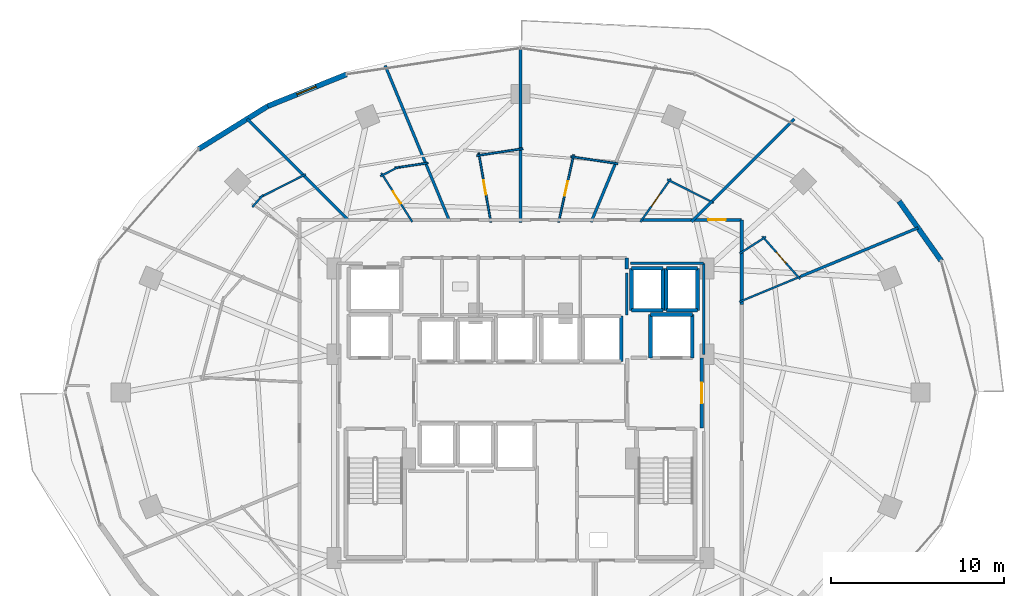
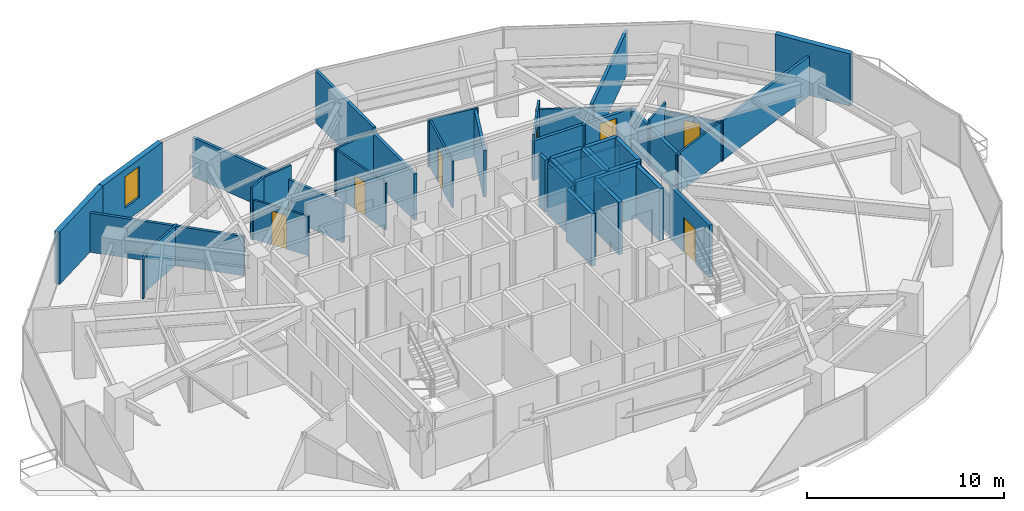
# One storey, part 27 of 31: 46 walls, 7 doors, 1 window, 8 openings.
"""IFC4 building model written with IfcOpenShell, lengths in metres."""

import ifcopenshell
import ifcopenshell.guid

model = None  # the IFC model being written
_history = None  # IfcOwnerHistory: only IFC2X3 demands one
_inside = {}  # id of a spatial element -> (the spatial element, [elements in it])
_under = {}  # id of a project, library or spatial element -> (it, [spatial elements below it])
_declared = {}  # id of a project -> (the project, [libraries it declares])
_typed = {}  # id of a type object -> (the type object, [elements of that type])
_made_of = {}  # id of a material, layer set ... -> (it, [elements and type objects made of it])


def new_model(schema):
    """Start an empty IFC model of exactly this schema.

    Asked for "IFC4X3", IfcOpenShell would pick the latest addendum, in which some entities
    have other attributes; the version numbers below select the first issue.
    IFC2X3 requires an IfcOwnerHistory on every rooted entity: one is made here for all.
    """
    global model, _history
    if schema == "IFC4X3":
        model = ifcopenshell.file(schema_version=(4, 3, 0, 0))
    else:
        model = ifcopenshell.file(schema=schema)
    _inside.clear()
    _under.clear()
    _declared.clear()
    _typed.clear()
    _made_of.clear()
    _history = None
    if model.schema == "IFC2X3":
        org = make("IfcOrganization", Name="unknown")
        user = make(
            "IfcPersonAndOrganization",
            ThePerson=make("IfcPerson", FamilyName="unknown"),
            TheOrganization=org,
        )
        app = make(
            "IfcApplication",
            ApplicationDeveloper=org,
            Version="unknown",
            ApplicationFullName="unknown",
            ApplicationIdentifier="unknown",
        )
        _history = make(
            "IfcOwnerHistory",
            OwningUser=user,
            OwningApplication=app,
            ChangeAction="ADDED",
            CreationDate=0,
        )
    return model


def make(cls, **values):
    """One entity of the class cls with the attributes given. An attribute that is None is left unset."""
    return model.create_entity(
        cls, **{name: value for name, value in values.items() if value is not None}
    )


def rooted(cls, **values):
    """An entity with a GlobalId (a new one), such as an element, a storey or a relation."""
    return make(cls, GlobalId=ifcopenshell.guid.new(), OwnerHistory=_history, **values)


def si_unit(unit_type, name, prefix=None):
    """IfcSIUnit, for example si_unit("LENGTHUNIT", "METRE", prefix="MILLI")."""
    return make("IfcSIUnit", UnitType=unit_type, Prefix=prefix, Name=name)


def assignment(units):
    """IfcUnitAssignment: the units of a project."""
    return None if units is None else make("IfcUnitAssignment", Units=units)


def point(xyz):
    """IfcCartesianPoint."""
    return None if xyz is None else make("IfcCartesianPoint", Coordinates=xyz)


def direction(xyz):
    """IfcDirection."""
    return None if xyz is None else make("IfcDirection", DirectionRatios=xyz)


def frame(location, z_axis=None, x_axis=None):
    """IfcAxis2Placement3D, a coordinate frame: its origin and axes. An axis left out is left unset."""
    return make(
        "IfcAxis2Placement3D",
        Location=point(location),
        Axis=direction(z_axis),
        RefDirection=direction(x_axis),
    )


def frame_2d(location, x_axis=None):
    """IfcAxis2Placement2D, a coordinate frame in the plane: its origin and x axis."""
    return make(
        "IfcAxis2Placement2D", Location=point(location), RefDirection=direction(x_axis)
    )


def origin():
    """The frame at (0, 0, 0) with its axes left unset."""
    return frame((0.0, 0.0, 0.0))


def place(relative_to, where):
    """IfcLocalPlacement: puts the frame where relative to a parent placement (None: the world)."""
    return make(
        "IfcLocalPlacement", PlacementRelTo=relative_to, RelativePlacement=where
    )


def context(
    kind, dimensions, precision=None, world=None, true_north=None, identifier=None
):
    """IfcGeometricRepresentationContext, for example the 3D "Model" context."""
    return make(
        "IfcGeometricRepresentationContext",
        ContextIdentifier=identifier,
        ContextType=kind,
        CoordinateSpaceDimension=dimensions,
        Precision=precision,
        WorldCoordinateSystem=world,
        TrueNorth=true_north,
    )


def subcontext(parent, identifier, kind, view, scale=None):
    """IfcGeometricRepresentationSubContext, for example "Body" below "Model"."""
    return make(
        "IfcGeometricRepresentationSubContext",
        ContextIdentifier=identifier,
        ContextType=kind,
        ParentContext=parent,
        TargetScale=scale,
        TargetView=view,
    )


def project(units=None, contexts=None):
    """IfcProject with its units and contexts."""
    return rooted(
        "IfcProject",
        Name="project",
        RepresentationContexts=contexts,
        UnitsInContext=assignment(units),
    )


def spatial(cls, under=None, at=None, **own):
    """A site, building, storey or space (cls), placed at a placement, below another one or the project."""
    s = rooted(cls, ObjectPlacement=at, **own)
    if under is not None:
        _under.setdefault(under.id(), (under, []))[1].append(s)
    return s


def profile(cls, at=None, kind="AREA", **sizes):
    """A parametric profile (cls). Its sizes go by their IFC names, for example OverallWidth=200.0."""
    return make(cls, ProfileType=kind, Position=at, **sizes)


def rectangle(**sizes):
    """IfcRectangleProfileDef."""
    return profile("IfcRectangleProfileDef", **sizes)


def extrude(swept, where, along, depth):
    """IfcExtrudedAreaSolid: the profile swept, set in the frame where, extruded along a direction by depth."""
    return make(
        "IfcExtrudedAreaSolid",
        SweptArea=swept,
        Position=where,
        ExtrudedDirection=direction(along),
        Depth=depth,
    )


def shape(context_of_items, identifier, shape_type, items):
    """IfcShapeRepresentation: the items that make up one representation, for example the "Body"."""
    return make(
        "IfcShapeRepresentation",
        ContextOfItems=context_of_items,
        RepresentationIdentifier=identifier,
        RepresentationType=shape_type,
        Items=items,
    )


def material(Name=None, Category=None):
    """IfcMaterial."""
    return make("IfcMaterial", Name=Name, Category=Category)


def layer(
    of_material, thickness, ventilated=None, Name=None, Category=None, Priority=None
):
    """IfcMaterialLayer: one layer of a wall or slab, of a material (None: an air gap)."""
    return make(
        "IfcMaterialLayer",
        Material=of_material,
        LayerThickness=thickness,
        IsVentilated=ventilated,
        Name=Name,
        Category=Category,
        Priority=Priority,
    )


def layer_set(layers, Name=None):
    """IfcMaterialLayerSet."""
    return make("IfcMaterialLayerSet", MaterialLayers=layers, LayerSetName=Name)


def made_of(thing, what):
    """Note that an element or type object is made of a material, layer set ...; save() writes the relation."""
    if what is not None:
        _made_of.setdefault(what.id(), (what, []))[1].append(thing)
    return thing


def type_object(cls, material=None, **own):
    """A type object (cls), such as IfcWallType, which elements share."""
    return made_of(rooted(cls, **own), material)


def element(
    cls,
    number,
    at=None,
    inside=None,
    cuts=None,
    type_object=None,
    material=None,
    context=None,
    identifier="Body",
    shape_type=None,
    held_by="IfcProductDefinitionShape",
    body=None,
    shapes=None,
    **own,
):
    """One element of the class cls, such as IfcWall. Its Tag is "e" and its number.

    at: its placement. inside: the storey or other place that contains it. cuts: it is an
    opening in that element (IfcRelVoidsElement). A single representation is given by context,
    identifier, shape_type and body (its items); several are given by shapes. held_by: the class
    of the entity that holds the representations. save() writes the other relations.
    """
    e = rooted(cls, Tag="e%d" % number, ObjectPlacement=at, **own)
    if body is not None:
        shapes = [shape(context, identifier, shape_type, body)]
    if shapes is not None:
        e.Representation = make(held_by, Representations=shapes)
    if inside is not None:
        _inside.setdefault(inside.id(), (inside, []))[1].append(e)
    if cuts is not None:
        rooted(
            "IfcRelVoidsElement", RelatingBuildingElement=cuts, RelatedOpeningElement=e
        )
    if type_object is not None:
        _typed.setdefault(type_object.id(), (type_object, []))[1].append(e)
    return made_of(e, material)


def fill(opening, filler):
    """IfcRelFillsElement: the door or window that sits in an opening."""
    return rooted(
        "IfcRelFillsElement",
        RelatingOpeningElement=opening,
        RelatedBuildingElement=filler,
    )


def aggregate(whole, parts):
    """IfcRelAggregates: a whole, such as a stair, and the parts it consists of."""
    return rooted("IfcRelAggregates", RelatingObject=whole, RelatedObjects=parts)


def save(model, path):
    """Write the relations noted so far, then the file.

    IfcRelAggregates (storeys below a building ...), IfcRelContainedInSpatialStructure (elements
    in a storey), IfcRelDefinesByType, IfcRelAssociatesMaterial and IfcRelDeclares: one each for
    every whole, place, type object, material and project.
    """
    for whole, parts in _under.values():
        aggregate(whole, parts)
    for where, things in _inside.values():
        rooted(
            "IfcRelContainedInSpatialStructure",
            RelatedElements=things,
            RelatingStructure=where,
        )
    for kind, things in _typed.values():
        rooted("IfcRelDefinesByType", RelatedObjects=things, RelatingType=kind)
    for what, things in _made_of.values():
        rooted("IfcRelAssociatesMaterial", RelatedObjects=things, RelatingMaterial=what)
    for by, libraries in _declared.values():
        rooted("IfcRelDeclares", RelatingContext=by, RelatedDefinitions=libraries)
    model.write(path)


model = new_model("IFC4")

# Units and contexts
model_context = context("Model", 3, precision=1e-05, world=origin(), true_north=direction((0.0, 1.0)))
body_context = subcontext(model_context, "Body", "Model", "MODEL_VIEW")
ifc_project = project(units=[si_unit("LENGTHUNIT", "METRE"), si_unit("AREAUNIT", "SQUARE_METRE"), si_unit("VOLUMEUNIT", "CUBIC_METRE"), si_unit("PLANEANGLEUNIT", "RADIAN"), si_unit("MASSUNIT", "GRAM", prefix="KILO")], contexts=[model_context])

# Site, building, storey
site_placement = place(None, origin())
site = spatial("IfcSite", under=ifc_project, at=site_placement, CompositionType="ELEMENT")
building_placement = place(site_placement, origin())
building = spatial("IfcBuilding", under=site, at=building_placement, Name="Vorneva Point Tower", CompositionType="ELEMENT")
storey_placement = place(building_placement, frame((0.0, 0.0, 103.300048828125)))
storey = spatial("IfcBuildingStorey", under=building, at=storey_placement, Name="L27", CompositionType="ELEMENT", Elevation=103.300048828125)

# Walls
ifc_material_1 = material(Name="Concrete B60 (C50/60)", Category="concrete")
ifc_layer_1 = layer(ifc_material_1, 0.5)
ifc_layer_set_1 = layer_set([ifc_layer_1], Name="Concrete B60 (C50/60)")
wall_type_1 = type_object("IfcWallType", Name="WL-CORE-500", PredefinedType="SHEAR", material=ifc_layer_set_1)
wall_1_placement = place(storey_placement, frame((47.89990234375, 28.0, 0.0), z_axis=(0.0, 0.0, 1.0), x_axis=(0.0, 1.0, 0.0)))
element("IfcWall", 1, at=wall_1_placement, inside=storey, type_object=wall_type_1, Name="L27 Lift FFL2 Shaft Wall +X", PredefinedType="SHEAR", context=body_context, shape_type="SweptSolid", body=[
    extrude(rectangle(XDim=2.5, YDim=0.219970703125, at=frame_2d((1.25, 0.0))), origin(), (0.0, 0.0, 1.0), 3.239990234375),
])
wall_2_placement = place(storey_placement, frame((47.89990234375, 30.5, 0.0), z_axis=(0.0, 0.0, 1.0), x_axis=(-1.0, 0.0, 0.0)))
element("IfcWall", 2, at=wall_2_placement, inside=storey, type_object=wall_type_1, Name="L27 Lift FFL2 Shaft Wall +Y", PredefinedType="SHEAR", context=body_context, shape_type="SweptSolid", body=[
    extrude(rectangle(XDim=2.39990234375, YDim=0.219970703125, at=frame_2d((1.199951171875, 0.0))), origin(), (0.0, 0.0, 1.0), 3.239990234375),
])
wall_3_placement = place(storey_placement, frame((45.5, 30.5, 0.0), z_axis=(0.0, 0.0, 1.0), x_axis=(0.0, -1.0, 0.0)))
element("IfcWall", 3, at=wall_3_placement, inside=storey, type_object=wall_type_1, Name="L27 Lift FFL2 Shaft Wall -X", PredefinedType="SHEAR", context=body_context, shape_type="SweptSolid", body=[
    extrude(rectangle(XDim=2.5, YDim=0.219970703125, at=frame_2d((1.25, 0.0))), origin(), (0.0, 0.0, 1.0), 3.239990234375),
])
ifc_material_2 = material(Name="Precast concrete B50 (C40/50)", Category="concrete")
ifc_layer_2 = layer(ifc_material_2, 0.300048828125)
ifc_layer_set_2 = layer_set([ifc_layer_2], Name="Precast concrete B50 (C40/50)")
wall_type_2 = type_object("IfcWallType", Name="WL-EXT-300", PredefinedType="STANDARD", material=ifc_layer_set_2)
wall_4_placement = place(storey_placement, frame((62.251708984375, 33.59619140625, 0.0), z_axis=(0.0, 0.0, 1.0), x_axis=(-0.57716435238, 0.81662801222, 0.0)))
element("IfcWall", 4, at=wall_4_placement, inside=storey, type_object=wall_type_2, Name="L27 Pale-Metal Facade Spandrel Wall 02.1", PredefinedType="STANDARD", context=body_context, shape_type="SweptSolid", body=[
    extrude(rectangle(XDim=4.202392578125, YDim=0.300048828125, at=frame_2d((2.10107421875, 0.0))), origin(), (0.0, 0.0, 1.0), 3.239990234375),
])

# Wall, opening, window
wall_5_placement = place(storey_placement, frame((27.95458984375, 44.339111328125, 0.0), z_axis=(0.0, 0.0, 1.0), x_axis=(-0.927122233109, -0.374759075775, 0.0)))
wall_5 = element("IfcWall", 5, at=wall_5_placement, inside=storey, type_object=wall_type_2, Name="L27 Pale-Metal Facade Spandrel Wall 06.1", PredefinedType="STANDARD", context=body_context, shape_type="SweptSolid", body=[
    extrude(rectangle(XDim=4.89501953125, YDim=0.300048828125, at=frame_2d((2.447509765625, 0.0))), origin(), (0.0, 0.0, 1.0), 3.239990234375),
])
opening_1_placement = place(wall_5_placement, frame((1.87744140625, 0.0, 0.85009765625)))
opening_1 = element("IfcOpeningElement", 6, at=opening_1_placement, cuts=wall_5, Name="Opening W-04", PredefinedType="OPENING", context=body_context, shape_type="SweptSolid", body=[
    extrude(rectangle(XDim=1.199951171875, YDim=1.949951171875, at=frame_2d((0.60009765625, 0.97509765625))), frame((0.0, 0.1650390625, 0.0), z_axis=(0.0, -1.0, 0.0), x_axis=(1.0, 0.0, 0.0)), (0.0, 0.0, 1.0), 0.329833984375),
])
ifc_material_3 = material(Name="Double low-e laminated glass IGU", Category="glass")
window_type = type_object("IfcWindowType", Name="WN-RES-1200", PartitioningType="SINGLE_PANEL", PredefinedType="WINDOW", material=ifc_material_3)
window_placement = place(opening_1_placement, origin())
window = element("IfcWindow", 7, at=window_placement, inside=storey, type_object=window_type, Name="L27 Dwelling Vision Window 01", OverallHeight=1.949951171875, OverallWidth=1.199951171875, PartitioningType="SINGLE_PANEL", PredefinedType="WINDOW", context=body_context, shape_type="SweptSolid", body=[
    extrude(rectangle(XDim=1.199951171875, YDim=1.949951171875, at=frame_2d((0.60009765625, 0.97509765625))), frame((0.0, 0.030029296875, 0.0), z_axis=(0.0, -1.0, 0.0), x_axis=(1.0, 0.0, 0.0)), (0.0, 0.0, 1.0), 0.06005859375),
])
fill(opening_1, window)

# Wall
wall_6_placement = place(storey_placement, frame((23.416259765625, 42.504638671875, 0.0), z_axis=(0.0, 0.0, 1.0), x_axis=(-0.849684479743, -0.527291461038, 0.0)))
element("IfcWall", 8, at=wall_6_placement, inside=storey, type_object=wall_type_2, Name="L27 Pale-Metal Facade Spandrel Wall 06.2", PredefinedType="STANDARD", context=body_context, shape_type="SweptSolid", body=[
    extrude(rectangle(XDim=4.681396484375, YDim=0.300048828125, at=frame_2d((2.3408203125, 0.0))), origin(), (0.0, 0.0, 1.0), 3.239990234375),
])

# Wall, opening, door
ifc_material_4 = material(Name="Fire-rated acoustic gypsum stud partition", Category="gypsum")
ifc_layer_3 = layer(ifc_material_4, 0.110107421875)
ifc_layer_set_3 = layer_set([ifc_layer_3], Name="Fire-rated acoustic gypsum stud partition")
wall_type_3 = type_object("IfcWallType", Name="WL-PART-110", PredefinedType="PARTITIONING", material=ifc_layer_set_3)
wall_7_placement = place(storey_placement, frame((51.935302734375, 35.0068359375, 0.0), z_axis=(0.0, 0.0, 1.0), x_axis=(0.662059609276, -0.749451181709, 0.0)))
wall_7 = element("IfcWall", 9, at=wall_7_placement, inside=storey, type_object=wall_type_3, Name="L27 Interior Partition 053", PredefinedType="PARTITIONING", context=body_context, shape_type="SweptSolid", body=[
    extrude(rectangle(XDim=3.29931640625, YDim=0.110107421875, at=frame_2d((1.649658203125, 0.0))), origin(), (0.0, 0.0, 1.0), 2.431884765625),
])
opening_2_placement = place(wall_7_placement, frame((1.224609375, 0.0, 0.0)))
opening_2 = element("IfcOpeningElement", 10, at=opening_2_placement, cuts=wall_7, Name="Opening ID-02", PredefinedType="OPENING", context=body_context, shape_type="SweptSolid", body=[
    extrude(rectangle(XDim=0.85009765625, YDim=2.10009765625, at=frame_2d((0.425048828125, 1.050048828125))), frame((0.0, 0.06982421875, 0.0), z_axis=(0.0, -1.0, 0.0), x_axis=(1.0, 0.0, 0.0)), (0.0, 0.0, 1.0), 0.139892578125),
])
ifc_material_5 = material(Name="Engineered oak fire-rated door leaf", Category="wood")
door_type_1 = type_object("IfcDoorType", Name="DR-BATH-850", OperationType="NOTDEFINED", PredefinedType="DOOR", material=ifc_material_5)
door_1_placement = place(opening_2_placement, origin())
door_1 = element("IfcDoor", 11, at=door_1_placement, inside=storey, type_object=door_type_1, Name="L27 Door King Guest Room L27-01 / En-Suite Bathroom L27-01", OperationType="SINGLE_SWING_LEFT", OverallHeight=2.10009765625, OverallWidth=0.85009765625, PredefinedType="DOOR", context=body_context, shape_type="SweptSolid", body=[
    extrude(rectangle(XDim=0.85009765625, YDim=2.10009765625, at=frame_2d((0.425048828125, 1.050048828125))), frame((0.0, 0.02490234375, 0.0), z_axis=(0.0, -1.0, 0.0), x_axis=(1.0, 0.0, 0.0)), (0.0, 0.0, 1.0), 0.050048828125),
])
fill(opening_2, door_1)

# Walls
wall_8_placement = place(storey_placement, frame((54.15625, 32.692626953125, 0.0), z_axis=(0.0, 0.0, 1.0), x_axis=(-0.923803754276, -0.382866326002, 0.0)))
element("IfcWall", 12, at=wall_8_placement, inside=storey, type_object=wall_type_3, Name="L27 Interior Partition 054", PredefinedType="PARTITIONING", context=body_context, shape_type="SweptSolid", body=[
    extrude(rectangle(XDim=3.8271484375, YDim=0.110107421875, at=frame_2d((1.91357421875, 0.0))), origin(), (0.0, 0.0, 1.0), 2.431884765625),
])
wall_9_placement = place(storey_placement, frame((50.6318359375, 34.01611328125, 0.0), z_axis=(0.0, 0.0, 1.0), x_axis=(0.844361394482, 0.535774052665, 0.0)))
element("IfcWall", 13, at=wall_9_placement, inside=storey, type_object=wall_type_3, Name="L27 Interior Partition 055", PredefinedType="PARTITIONING", context=body_context, shape_type="SweptSolid", body=[
    extrude(rectangle(XDim=1.79345703125, YDim=0.110107421875, at=frame_2d((0.896728515625, 0.0))), origin(), (0.0, 0.0, 1.0), 2.885986328125),
])
wall_10_placement = place(storey_placement, frame((46.462158203125, 38.281005859375, 0.0), z_axis=(0.0, 0.0, 1.0), x_axis=(0.892486842203, -0.451073426944, 0.0)))
element("IfcWall", 14, at=wall_10_placement, inside=storey, type_object=wall_type_3, Name="L27 Interior Partition 059", PredefinedType="PARTITIONING", context=body_context, shape_type="SweptSolid", body=[
    extrude(rectangle(XDim=2.982177734375, YDim=0.110107421875, at=frame_2d((1.4912109375, 0.0))), origin(), (0.0, 0.0, 1.0), 2.431884765625),
])

# Wall, opening, door
wall_11_placement = place(storey_placement, frame((44.91259765625, 35.83544921875, 0.0), z_axis=(0.0, 0.0, 1.0), x_axis=(0.574986040322, 0.818163219312, 0.0)))
wall_11 = element("IfcWall", 15, at=wall_11_placement, inside=storey, type_object=wall_type_3, Name="L27 Interior Partition 060", PredefinedType="PARTITIONING", context=body_context, shape_type="SweptSolid", body=[
    extrude(rectangle(XDim=3.052001953125, YDim=0.110107421875, at=frame_2d((1.52587890625, 0.0))), origin(), (0.0, 0.0, 1.0), 2.885986328125),
])
opening_3_placement = place(wall_11_placement, frame((1.10107421875, 0.0, 0.0)))
opening_3 = element("IfcOpeningElement", 16, at=opening_3_placement, cuts=wall_11, Name="Opening ID-02", PredefinedType="OPENING", context=body_context, shape_type="SweptSolid", body=[
    extrude(rectangle(XDim=0.85009765625, YDim=2.10009765625, at=frame_2d((0.425048828125, 1.050048828125))), frame((0.0, 0.06982421875, 0.0), z_axis=(0.0, -1.0, 0.0), x_axis=(1.0, 0.0, 0.0)), (0.0, 0.0, 1.0), 0.139892578125),
])
door_2_placement = place(opening_3_placement, origin())
door_2 = element("IfcDoor", 17, at=door_2_placement, inside=storey, type_object=door_type_1, Name="L27 Door Twin Guest Room L27-02 / En-Suite Bathroom L27-02", OperationType="SINGLE_SWING_RIGHT", OverallHeight=2.10009765625, OverallWidth=0.85009765625, PredefinedType="DOOR", context=body_context, shape_type="SweptSolid", body=[
    extrude(rectangle(XDim=0.85009765625, YDim=2.10009765625, at=frame_2d((0.425048828125, 1.050048828125))), frame((0.0, 0.02490234375, 0.0), z_axis=(0.0, -1.0, 0.0), x_axis=(1.0, 0.0, 0.0)), (0.0, 0.0, 1.0), 0.050048828125),
])
fill(opening_3, door_2)

wall_12_placement = place(storey_placement, frame((40.193603515625, 35.8134765625, 0.0), z_axis=(0.0, 0.0, 1.0), x_axis=(0.21804880916, 0.975937865248, 0.0)))
wall_12 = element("IfcWall", 18, at=wall_12_placement, inside=storey, type_object=wall_type_3, Name="L27 Interior Partition 063", PredefinedType="PARTITIONING", context=body_context, shape_type="SweptSolid", body=[
    extrude(rectangle(XDim=3.998291015625, YDim=0.110107421875, at=frame_2d((1.9990234375, 0.0))), origin(), (0.0, 0.0, 1.0), 2.885986328125),
])
opening_4_placement = place(wall_12_placement, frame((1.57421875, 0.0, 0.0)))
opening_4 = element("IfcOpeningElement", 19, at=opening_4_placement, cuts=wall_12, Name="Opening ID-02", PredefinedType="OPENING", context=body_context, shape_type="SweptSolid", body=[
    extrude(rectangle(XDim=0.85009765625, YDim=2.10009765625, at=frame_2d((0.425048828125, 1.050048828125))), frame((0.0, 0.06982421875, 0.0), z_axis=(0.0, -1.0, 0.0), x_axis=(1.0, 0.0, 0.0)), (0.0, 0.0, 1.0), 0.139892578125),
])
door_3_placement = place(opening_4_placement, origin())
door_3 = element("IfcDoor", 20, at=door_3_placement, inside=storey, type_object=door_type_1, Name="L27 Door Deluxe Guest Room L27-03 / En-Suite Bathroom L27-03", OperationType="SINGLE_SWING_LEFT", OverallHeight=2.10009765625, OverallWidth=0.85009765625, PredefinedType="DOOR", context=body_context, shape_type="SweptSolid", body=[
    extrude(rectangle(XDim=0.85009765625, YDim=2.10009765625, at=frame_2d((0.425048828125, 1.050048828125))), frame((0.0, 0.02490234375, 0.0), z_axis=(0.0, -1.0, 0.0), x_axis=(1.0, 0.0, 0.0)), (0.0, 0.0, 1.0), 0.050048828125),
])
fill(opening_4, door_3)

# Walls
wall_13_placement = place(storey_placement, frame((40.896484375, 39.599853515625, 0.0), z_axis=(0.0, 0.0, 1.0), x_axis=(0.98891024541, -0.148514398367, 0.0)))
element("IfcWall", 21, at=wall_13_placement, inside=storey, type_object=wall_type_3, Name="L27 Interior Partition 064", PredefinedType="PARTITIONING", context=body_context, shape_type="SweptSolid", body=[
    extrude(rectangle(XDim=2.745361328125, YDim=0.110107421875, at=frame_2d((1.37255859375, 0.0))), origin(), (0.0, 0.0, 1.0), 2.971923828125),
])
wall_14_placement = place(storey_placement, frame((35.474609375, 39.65625, 0.0), z_axis=(0.0, 0.0, 1.0), x_axis=(0.988878442063, 0.148726012595, 0.0)))
element("IfcWall", 22, at=wall_14_placement, inside=storey, type_object=wall_type_3, Name="L27 Interior Partition 067", PredefinedType="PARTITIONING", context=body_context, shape_type="SweptSolid", body=[
    extrude(rectangle(XDim=2.69384765625, YDim=0.110107421875, at=frame_2d((1.346923828125, 0.0))), origin(), (0.0, 0.0, 1.0), 2.971923828125),
])

# Wall, opening, door
wall_15_placement = place(storey_placement, frame((36.287109375, 35.81201171875, 0.0), z_axis=(0.0, 0.0, 1.0), x_axis=(-0.171838135253, 0.985125197766, 0.0)))
wall_15 = element("IfcWall", 23, at=wall_15_placement, inside=storey, type_object=wall_type_3, Name="L27 Interior Partition 068", PredefinedType="PARTITIONING", context=body_context, shape_type="SweptSolid", body=[
    extrude(rectangle(XDim=4.0634765625, YDim=0.110107421875, at=frame_2d((2.03173828125, 0.0))), origin(), (0.0, 0.0, 1.0), 2.885986328125),
])
opening_5_placement = place(wall_15_placement, frame((1.606689453125, 0.0, 0.0)))
opening_5 = element("IfcOpeningElement", 24, at=opening_5_placement, cuts=wall_15, Name="Opening ID-02", PredefinedType="OPENING", context=body_context, shape_type="SweptSolid", body=[
    extrude(rectangle(XDim=0.85009765625, YDim=2.10009765625, at=frame_2d((0.425048828125, 1.050048828125))), frame((0.0, 0.06982421875, 0.0), z_axis=(0.0, -1.0, 0.0), x_axis=(1.0, 0.0, 0.0)), (0.0, 0.0, 1.0), 0.139892578125),
])
door_4_placement = place(opening_5_placement, origin())
door_4 = element("IfcDoor", 25, at=door_4_placement, inside=storey, type_object=door_type_1, Name="L27 Door King Guest Room L27-04 / En-Suite Bathroom L27-04", OperationType="SINGLE_SWING_RIGHT", OverallHeight=2.10009765625, OverallWidth=0.85009765625, PredefinedType="DOOR", context=body_context, shape_type="SweptSolid", body=[
    extrude(rectangle(XDim=0.85009765625, YDim=2.10009765625, at=frame_2d((0.425048828125, 1.050048828125))), frame((0.0, 0.02490234375, 0.0), z_axis=(0.0, -1.0, 0.0), x_axis=(1.0, 0.0, 0.0)), (0.0, 0.0, 1.0), 0.050048828125),
])
fill(opening_5, door_4)

# Walls
wall_16_placement = place(storey_placement, frame((29.919189453125, 38.47265625, 0.0), z_axis=(0.0, 0.0, 1.0), x_axis=(0.892084606746, 0.45186840386, 0.0)))
element("IfcWall", 26, at=wall_16_placement, inside=storey, type_object=wall_type_3, Name="L27 Interior Partition 070", PredefinedType="PARTITIONING", context=body_context, shape_type="SweptSolid", body=[
    extrude(rectangle(XDim=1.236083984375, YDim=0.110107421875, at=frame_2d((0.6181640625, 0.0))), origin(), (0.0, 0.0, 1.0), 3.239990234375),
])
wall_17_placement = place(storey_placement, frame((30.758544921875, 38.947265625, 0.0), z_axis=(0.0, 0.0, 1.0), x_axis=(0.988889867338, 0.148650026153, 0.0)))
element("IfcWall", 27, at=wall_17_placement, inside=storey, type_object=wall_type_3, Name="L27 Interior Partition 071", PredefinedType="PARTITIONING", context=body_context, shape_type="SweptSolid", body=[
    extrude(rectangle(XDim=1.92822265625, YDim=0.110107421875, at=frame_2d((0.964111328125, 0.0))), origin(), (0.0, 0.0, 1.0), 3.239990234375),
])

# Wall, opening, door
wall_18_placement = place(storey_placement, frame((31.760986328125, 35.831787109375, 0.0), z_axis=(0.0, 0.0, 1.0), x_axis=(-0.535991614842, 0.844223305067, 0.0)))
wall_18 = element("IfcWall", 28, at=wall_18_placement, inside=storey, type_object=wall_type_3, Name="L27 Interior Partition 072", PredefinedType="PARTITIONING", context=body_context, shape_type="SweptSolid", body=[
    extrude(rectangle(XDim=3.34326171875, YDim=0.110107421875, at=frame_2d((1.671630859375, 0.0))), origin(), (0.0, 0.0, 1.0), 2.431884765625),
])
opening_6_placement = place(wall_18_placement, frame((1.24658203125, 0.0, 0.0)))
opening_6 = element("IfcOpeningElement", 29, at=opening_6_placement, cuts=wall_18, Name="Opening ID-02", PredefinedType="OPENING", context=body_context, shape_type="SweptSolid", body=[
    extrude(rectangle(XDim=0.85009765625, YDim=2.10009765625, at=frame_2d((0.425048828125, 1.050048828125))), frame((0.0, 0.06982421875, 0.0), z_axis=(0.0, -1.0, 0.0), x_axis=(1.0, 0.0, 0.0)), (0.0, 0.0, 1.0), 0.139892578125),
])
door_5_placement = place(opening_6_placement, origin())
door_5 = element("IfcDoor", 30, at=door_5_placement, inside=storey, type_object=door_type_1, Name="L27 Door Twin Guest Room L27-05 / En-Suite Bathroom L27-05", OperationType="SINGLE_SWING_LEFT", OverallHeight=2.10009765625, OverallWidth=0.85009765625, PredefinedType="DOOR", context=body_context, shape_type="SweptSolid", body=[
    extrude(rectangle(XDim=0.85009765625, YDim=2.10009765625, at=frame_2d((0.425048828125, 1.050048828125))), frame((0.0, 0.02490234375, 0.0), z_axis=(0.0, -1.0, 0.0), x_axis=(1.0, 0.0, 0.0)), (0.0, 0.0, 1.0), 0.050048828125),
])
fill(opening_6, door_5)

# Walls
wall_19_placement = place(storey_placement, frame((22.538330078125, 36.697021484375, 0.0), z_axis=(0.0, 0.0, 1.0), x_axis=(0.662242037053, 0.749289986827, 0.0)))
element("IfcWall", 31, at=wall_19_placement, inside=storey, type_object=wall_type_3, Name="L27 Interior Partition 074", PredefinedType="PARTITIONING", context=body_context, shape_type="SweptSolid", body=[
    extrude(rectangle(XDim=0.936767578125, YDim=0.110107421875, at=frame_2d((0.46826171875, 0.0))), origin(), (0.0, 0.0, 1.0), 2.431884765625),
])
wall_20_placement = place(storey_placement, frame((22.941162109375, 37.23095703125, 0.0), z_axis=(0.0, 0.0, 1.0), x_axis=(0.892507731149, 0.451032094024, 0.0)))
element("IfcWall", 32, at=wall_20_placement, inside=storey, type_object=wall_type_3, Name="L27 Interior Partition 075", PredefinedType="PARTITIONING", context=body_context, shape_type="SweptSolid", body=[
    extrude(rectangle(XDim=2.989013671875, YDim=0.110107421875, at=frame_2d((1.49462890625, 0.0))), origin(), (0.0, 0.0, 1.0), 2.431884765625),
])
ifc_layer_4 = layer(ifc_material_4, 0.139892578125)
ifc_layer_set_4 = layer_set([ifc_layer_4], Name="Fire-rated acoustic gypsum stud partition")
wall_type_4 = type_object("IfcWallType", Name="WL-PART-140", PredefinedType="PARTITIONING", material=ifc_layer_set_4)
wall_21_placement = place(storey_placement, frame((44.1201171875, 30.47998046875, 0.0), z_axis=(0.0, 0.0, 1.0), x_axis=(0.0, 1.0, 0.0)))
element("IfcWall", 33, at=wall_21_placement, inside=storey, type_object=wall_type_4, Name="L27 Interior Closure Partition 101", PredefinedType="PARTITIONING", context=body_context, shape_type="SweptSolid", body=[
    extrude(rectangle(XDim=2.409912109375, YDim=0.139892578125, at=frame_2d((1.205078125, 0.0))), origin(), (0.0, 0.0, 1.0), 3.239990234375),
])
wall_22_placement = place(storey_placement, frame((44.340087890625, 33.449951171875, 0.0), z_axis=(0.0, 0.0, 1.0), x_axis=(1.0, 0.0, 0.0)))
element("IfcWall", 34, at=wall_22_placement, inside=storey, type_object=wall_type_4, Name="L27 Interior Closure Partition 104", PredefinedType="PARTITIONING", context=body_context, shape_type="SweptSolid", body=[
    extrude(rectangle(XDim=4.2099609375, YDim=0.139892578125, at=frame_2d((2.10498046875, 0.0))), origin(), (0.0, 0.0, 1.0), 2.431884765625),
])
wall_23_placement = place(storey_placement, frame((48.550048828125, 33.449951171875, 0.0), z_axis=(0.0, 0.0, 1.0), x_axis=(0.0, -1.0, 0.0)))
element("IfcWall", 35, at=wall_23_placement, inside=storey, type_object=wall_type_4, Name="L27 Interior Closure Partition 105", PredefinedType="PARTITIONING", context=body_context, shape_type="SweptSolid", body=[
    extrude(rectangle(XDim=5.25390625, YDim=0.139892578125, at=frame_2d((2.626953125, 0.0))), origin(), (0.0, 0.0, 1.0), 2.431884765625),
])
ifc_layer_5 = layer(ifc_material_4, 0.159912109375)
ifc_layer_set_5 = layer_set([ifc_layer_5], Name="Fire-rated acoustic gypsum stud partition")
wall_type_5 = type_object("IfcWallType", Name="WL-PART-160", PredefinedType="PARTITIONING", material=ifc_layer_set_5)
wall_24_placement = place(storey_placement, frame((53.76806640625, 41.76806640625, 0.0), z_axis=(0.0, 0.0, 1.0), x_axis=(-0.707106781187, -0.707106781187, 0.0)))
element("IfcWall", 36, at=wall_24_placement, inside=storey, type_object=wall_type_5, Name="L27 Interior Partition 056", PredefinedType="PARTITIONING", context=body_context, shape_type="SweptSolid", body=[
    extrude(rectangle(XDim=6.807861328125, YDim=0.159912109375, at=frame_2d((3.40380859375, 0.0))), origin(), (0.0, 0.0, 1.0), 2.677001953125),
])
wall_25_placement = place(storey_placement, frame((49.052978515625, 37.052978515625, 0.0), z_axis=(0.0, 0.0, 1.0), x_axis=(-0.707106781187, -0.707106781187, 0.0)))
element("IfcWall", 37, at=wall_25_placement, inside=storey, type_object=wall_type_5, Name="L27 Interior Partition 057", PredefinedType="PARTITIONING", context=body_context, shape_type="SweptSolid", body=[
    extrude(rectangle(XDim=1.69970703125, YDim=0.159912109375, at=frame_2d((0.849853515625, 0.0))), origin(), (0.0, 0.0, 1.0), 2.431884765625),
])
wall_26_placement = place(storey_placement, frame((54.156494140625, 32.692138671875, 0.0), z_axis=(0.0, 0.0, 1.0), x_axis=(0.923875192571, 0.38269390974, 0.0)))
element("IfcWall", 38, at=wall_26_placement, inside=storey, type_object=wall_type_5, Name="L27 Interior Partition 058", PredefinedType="PARTITIONING", context=body_context, shape_type="SweptSolid", body=[
    extrude(rectangle(XDim=7.31103515625, YDim=0.159912109375, at=frame_2d((3.655517578125, 0.0))), origin(), (0.0, 0.0, 1.0), 2.431884765625),
])
wall_27_placement = place(storey_placement, frame((43.502685546875, 39.285400390625, 0.0), z_axis=(0.0, 0.0, 1.0), x_axis=(-0.382733183699, -0.923858923265, 0.0)))
element("IfcWall", 39, at=wall_27_placement, inside=storey, type_object=wall_type_5, Name="L27 Interior Partition 062", PredefinedType="PARTITIONING", context=body_context, shape_type="SweptSolid", body=[
    extrude(rectangle(XDim=3.750244140625, YDim=0.159912109375, at=frame_2d((1.875, 0.0))), origin(), (0.0, 0.0, 1.0), 2.885986328125),
])
wall_28_placement = place(storey_placement, frame((38.0, 45.85009765625, 0.0), z_axis=(0.0, 0.0, 1.0), x_axis=(0.0, -1.0, 0.0)))
element("IfcWall", 40, at=wall_28_placement, inside=storey, type_object=wall_type_5, Name="L27 Interior Partition 065", PredefinedType="PARTITIONING", context=body_context, shape_type="SweptSolid", body=[
    extrude(rectangle(XDim=5.875, YDim=0.159912109375, at=frame_2d((2.9375, 0.0))), origin(), (0.0, 0.0, 1.0), 3.239990234375),
])
wall_29_placement = place(storey_placement, frame((38.0, 40.114990234375, 0.0), z_axis=(0.0, 0.0, 1.0), x_axis=(0.0, -1.0, 0.0)))
element("IfcWall", 41, at=wall_29_placement, inside=storey, type_object=wall_type_5, Name="L27 Interior Partition 066", PredefinedType="PARTITIONING", context=body_context, shape_type="SweptSolid", body=[
    extrude(rectangle(XDim=4.304931640625, YDim=0.159912109375, at=frame_2d((2.15234375, 0.0))), origin(), (0.0, 0.0, 1.0), 2.885986328125),
])
wall_30_placement = place(storey_placement, frame((30.19189453125, 44.85107421875, 0.0), z_axis=(0.0, 0.0, 1.0), x_axis=(0.382687492799, -0.923877850614, 0.0)))
element("IfcWall", 42, at=wall_30_placement, inside=storey, type_object=wall_type_5, Name="L27 Interior Partition 069", PredefinedType="PARTITIONING", context=body_context, shape_type="SweptSolid", body=[
    extrude(rectangle(XDim=9.634521484375, YDim=0.159912109375, at=frame_2d((4.8173828125, 0.0))), origin(), (0.0, 0.0, 1.0), 2.431884765625),
])
wall_31_placement = place(storey_placement, frame((22.23193359375, 41.76806640625, 0.0), z_axis=(0.0, 0.0, 1.0), x_axis=(0.707106781187, -0.707106781187, 0.0)))
element("IfcWall", 43, at=wall_31_placement, inside=storey, type_object=wall_type_5, Name="L27 Interior Partition 073", PredefinedType="PARTITIONING", context=body_context, shape_type="SweptSolid", body=[
    extrude(rectangle(XDim=8.22802734375, YDim=0.159912109375, at=frame_2d((4.114013671875, 0.0))), origin(), (0.0, 0.0, 1.0), 2.431884765625),
])

# Wall, opening, door
ifc_material_6 = material(Name="Autoclaved aerated concrete blockwork", Category="masonry")
ifc_layer_6 = layer(ifc_material_6, 0.179931640625)
ifc_layer_set_6 = layer_set([ifc_layer_6], Name="Autoclaved aerated concrete blockwork")
wall_type_6 = type_object("IfcWallType", Name="WL-PART-180", PredefinedType="PARTITIONING", material=ifc_layer_set_6)
wall_32_placement = place(storey_placement, frame((48.449951171875, 23.949951171875, 0.0), z_axis=(0.0, 0.0, 1.0), x_axis=(0.0, 1.0, 0.0)))
wall_32 = element("IfcWall", 44, at=wall_32_placement, inside=storey, type_object=wall_type_6, Name="L27 Interior Partition 005", PredefinedType="PARTITIONING", context=body_context, shape_type="SweptSolid", body=[
    extrude(rectangle(XDim=4.050048828125, YDim=0.179931640625, at=frame_2d((2.02490234375, 0.0))), origin(), (0.0, 0.0, 1.0), 3.239990234375),
])
opening_7_placement = place(wall_32_placement, frame((1.425048828125, 0.0, 0.0)))
opening_7 = element("IfcOpeningElement", 45, at=opening_7_placement, cuts=wall_32, Name="Opening FD-02", PredefinedType="OPENING", context=body_context, shape_type="SweptSolid", body=[
    extrude(rectangle(XDim=1.199951171875, YDim=2.14990234375, at=frame_2d((0.60009765625, 1.074951171875))), frame((0.0, 0.10498046875, 0.0), z_axis=(0.0, -1.0, 0.0), x_axis=(1.0, 0.0, 0.0)), (0.0, 0.0, 1.0), 0.209716796875),
])
ifc_material_7 = material(Name="Fire-rated powder-coated steel", Category="steel")
door_type_2 = type_object("IfcDoorType", Name="DR-FFL-1200", OperationType="NOTDEFINED", PredefinedType="DOOR", material=ifc_material_7)
door_6_placement = place(opening_7_placement, origin())
door_6 = element("IfcDoor", 46, at=door_6_placement, inside=storey, type_object=door_type_2, Name="L27 Door East Firefighting Lobby / L27 Circulation Corridor", OperationType="SINGLE_SWING_LEFT", OverallHeight=2.14990234375, OverallWidth=1.199951171875, PredefinedType="DOOR", context=body_context, shape_type="SweptSolid", body=[
    extrude(rectangle(XDim=1.199951171875, YDim=2.14990234375, at=frame_2d((0.60009765625, 1.074951171875))), frame((0.0, 0.02490234375, 0.0), z_axis=(0.0, -1.0, 0.0), x_axis=(1.0, 0.0, 0.0)), (0.0, 0.0, 1.0), 0.050048828125),
])
fill(opening_7, door_6)

# Walls
wall_33_placement = place(storey_placement, frame((44.1201171875, 33.110107421875, 0.0), z_axis=(0.0, 0.0, 1.0), x_axis=(0.0, 1.0, 0.0)))
element("IfcWall", 47, at=wall_33_placement, inside=storey, type_object=wall_type_6, Name="L27 Interior Partition 024", PredefinedType="PARTITIONING", context=body_context, shape_type="SweptSolid", body=[
    extrude(rectangle(XDim=0.64990234375, YDim=0.179931640625, at=frame_2d((0.324951171875, 0.0))), origin(), (0.0, 0.0, 1.0), 3.239990234375),
])
wall_34_placement = place(storey_placement, frame((50.75, 34.031005859375, 0.0), z_axis=(0.0, 0.0, 1.0), x_axis=(0.0, 1.0, 0.0)))
element("IfcWall", 48, at=wall_34_placement, inside=storey, type_object=wall_type_6, Name="L27 Interior Partition 028", PredefinedType="PARTITIONING", context=body_context, shape_type="SweptSolid", body=[
    extrude(rectangle(XDim=1.9189453125, YDim=0.179931640625, at=frame_2d((0.95947265625, 0.0))), origin(), (0.0, 0.0, 1.0), 2.431884765625),
])

# Wall, opening, door
wall_35_placement = place(storey_placement, frame((50.75, 35.949951171875, 0.0), z_axis=(0.0, 0.0, 1.0), x_axis=(-1.0, 0.0, 0.0)))
wall_35 = element("IfcWall", 49, at=wall_35_placement, inside=storey, type_object=wall_type_6, Name="L27 Interior Partition 029", PredefinedType="PARTITIONING", context=body_context, shape_type="SweptSolid", body=[
    extrude(rectangle(XDim=2.860107421875, YDim=0.179931640625, at=frame_2d((1.43017578125, 0.0))), origin(), (0.0, 0.0, 1.0), 2.431884765625),
])
opening_8_placement = place(wall_35_placement, frame((0.929931640625, 0.0, 0.0)))
opening_8 = element("IfcOpeningElement", 50, at=opening_8_placement, cuts=wall_35, Name="Opening UD-01", PredefinedType="OPENING", context=body_context, shape_type="SweptSolid", body=[
    extrude(rectangle(XDim=1.0, YDim=2.14990234375, at=frame_2d((0.5, 1.074951171875))), frame((0.0, 0.10498046875, 0.0), z_axis=(0.0, -1.0, 0.0), x_axis=(1.0, 0.0, 0.0)), (0.0, 0.0, 1.0), 0.209716796875),
])
door_type_3 = type_object("IfcDoorType", Name="DR-UNIT-1000", OperationType="NOTDEFINED", PredefinedType="DOOR", material=ifc_material_5)
door_7_placement = place(opening_8_placement, origin())
door_7 = element("IfcDoor", 51, at=door_7_placement, inside=storey, type_object=door_type_3, Name="L27 Door L27 Circulation Corridor / King Guest Room L27-01", OperationType="SINGLE_SWING_RIGHT", OverallHeight=2.14990234375, OverallWidth=1.0, PredefinedType="DOOR", context=body_context, shape_type="SweptSolid", body=[
    extrude(rectangle(XDim=1.0, YDim=2.14990234375, at=frame_2d((0.5, 1.074951171875))), frame((0.0, 0.02490234375, 0.0), z_axis=(0.0, -1.0, 0.0), x_axis=(1.0, 0.0, 0.0)), (0.0, 0.0, 1.0), 0.050048828125),
])
fill(opening_8, door_7)

# Walls
wall_36_placement = place(storey_placement, frame((50.75, 31.0810546875, 0.0), z_axis=(0.0, 0.0, 1.0), x_axis=(0.0, 1.0, 0.0)))
element("IfcWall", 52, at=wall_36_placement, inside=storey, type_object=wall_type_6, Name="L27 Interior Partition 030", PredefinedType="PARTITIONING", context=body_context, shape_type="SweptSolid", body=[
    extrude(rectangle(XDim=3.08984375, YDim=0.179931640625, at=frame_2d((1.544921875, 0.0))), origin(), (0.0, 0.0, 1.0), 2.431884765625),
])
wall_37_placement = place(storey_placement, frame((48.030029296875, 35.949951171875, 0.0), z_axis=(0.0, 0.0, 1.0), x_axis=(-1.0, 0.0, 0.0)))
element("IfcWall", 53, at=wall_37_placement, inside=storey, type_object=wall_type_6, Name="L27 Interior Partition 032", PredefinedType="PARTITIONING", context=body_context, shape_type="SweptSolid", body=[
    extrude(rectangle(XDim=3.10400390625, YDim=0.179931640625, at=frame_2d((1.552001953125, 0.0))), origin(), (0.0, 0.0, 1.0), 2.431884765625),
])
ifc_material_8 = material(Name="Concrete B50 (C40/50)", Category="concrete")
ifc_layer_7 = layer(ifc_material_8, 0.219970703125)
ifc_layer_set_7 = layer_set([ifc_layer_7], Name="Concrete B50 (C40/50)")
wall_type_7 = type_object("IfcWallType", Name="WL-SHFT-220", PredefinedType="SOLIDWALL", material=ifc_layer_set_7)
wall_38_placement = place(storey_placement, frame((43.800048828125, 27.800048828125, 0.0), z_axis=(0.0, 0.0, 1.0), x_axis=(0.0, 1.0, 0.0)))
element("IfcWall", 54, at=wall_38_placement, inside=storey, type_object=wall_type_7, Name="L27 Lift PL8 Shaft Wall +X", PredefinedType="SOLIDWALL", context=body_context, shape_type="SweptSolid", body=[
    extrude(rectangle(XDim=2.599853515625, YDim=0.219970703125, at=frame_2d((1.2998046875, 0.0))), origin(), (0.0, 0.0, 1.0), 3.239990234375),
])
wall_39_placement = place(storey_placement, frame((44.39990234375, 30.739990234375, 0.0), z_axis=(0.0, 0.0, 1.0), x_axis=(1.0, 0.0, 0.0)))
element("IfcWall", 55, at=wall_39_placement, inside=storey, type_object=wall_type_7, Name="L27 Lift EX1 Shaft Wall -Y", PredefinedType="SOLIDWALL", context=body_context, shape_type="SweptSolid", body=[
    extrude(rectangle(XDim=1.800048828125, YDim=0.219970703125, at=frame_2d((0.89990234375, 0.0))), origin(), (0.0, 0.0, 1.0), 3.239990234375),
])
wall_40_placement = place(storey_placement, frame((46.199951171875, 30.739990234375, 0.0), z_axis=(0.0, 0.0, 1.0), x_axis=(0.0, 1.0, 0.0)))
element("IfcWall", 56, at=wall_40_placement, inside=storey, type_object=wall_type_7, Name="L27 Lift EX1 Shaft Wall +X", PredefinedType="SOLIDWALL", context=body_context, shape_type="SweptSolid", body=[
    extrude(rectangle(XDim=2.419921875, YDim=0.219970703125, at=frame_2d((1.2099609375, 0.0))), origin(), (0.0, 0.0, 1.0), 3.239990234375),
])
wall_41_placement = place(storey_placement, frame((46.199951171875, 33.159912109375, 0.0), z_axis=(0.0, 0.0, 1.0), x_axis=(-1.0, 0.0, 0.0)))
element("IfcWall", 57, at=wall_41_placement, inside=storey, type_object=wall_type_7, Name="L27 Lift EX1 Shaft Wall +Y", PredefinedType="SOLIDWALL", context=body_context, shape_type="SweptSolid", body=[
    extrude(rectangle(XDim=1.800048828125, YDim=0.219970703125, at=frame_2d((0.89990234375, 0.0))), origin(), (0.0, 0.0, 1.0), 3.239990234375),
])
wall_42_placement = place(storey_placement, frame((44.39990234375, 33.159912109375, 0.0), z_axis=(0.0, 0.0, 1.0), x_axis=(0.0, -1.0, 0.0)))
element("IfcWall", 58, at=wall_42_placement, inside=storey, type_object=wall_type_7, Name="L27 Lift EX1 Shaft Wall -X", PredefinedType="SOLIDWALL", context=body_context, shape_type="SweptSolid", body=[
    extrude(rectangle(XDim=2.419921875, YDim=0.219970703125, at=frame_2d((1.2099609375, 0.0))), origin(), (0.0, 0.0, 1.0), 3.239990234375),
])
wall_43_placement = place(storey_placement, frame((46.39990234375, 30.739990234375, 0.0), z_axis=(0.0, 0.0, 1.0), x_axis=(1.0, 0.0, 0.0)))
element("IfcWall", 59, at=wall_43_placement, inside=storey, type_object=wall_type_7, Name="L27 Lift EX2 Shaft Wall -Y", PredefinedType="SOLIDWALL", context=body_context, shape_type="SweptSolid", body=[
    extrude(rectangle(XDim=1.800048828125, YDim=0.219970703125, at=frame_2d((0.89990234375, 0.0))), origin(), (0.0, 0.0, 1.0), 3.239990234375),
])
wall_44_placement = place(storey_placement, frame((48.199951171875, 30.739990234375, 0.0), z_axis=(0.0, 0.0, 1.0), x_axis=(0.0, 1.0, 0.0)))
element("IfcWall", 60, at=wall_44_placement, inside=storey, type_object=wall_type_7, Name="L27 Lift EX2 Shaft Wall +X", PredefinedType="SOLIDWALL", context=body_context, shape_type="SweptSolid", body=[
    extrude(rectangle(XDim=2.419921875, YDim=0.219970703125, at=frame_2d((1.2099609375, 0.0))), origin(), (0.0, 0.0, 1.0), 3.239990234375),
])
wall_45_placement = place(storey_placement, frame((48.199951171875, 33.159912109375, 0.0), z_axis=(0.0, 0.0, 1.0), x_axis=(-1.0, 0.0, 0.0)))
element("IfcWall", 61, at=wall_45_placement, inside=storey, type_object=wall_type_7, Name="L27 Lift EX2 Shaft Wall +Y", PredefinedType="SOLIDWALL", context=body_context, shape_type="SweptSolid", body=[
    extrude(rectangle(XDim=1.800048828125, YDim=0.219970703125, at=frame_2d((0.89990234375, 0.0))), origin(), (0.0, 0.0, 1.0), 3.239990234375),
])
wall_46_placement = place(storey_placement, frame((46.39990234375, 33.159912109375, 0.0), z_axis=(0.0, 0.0, 1.0), x_axis=(0.0, -1.0, 0.0)))
element("IfcWall", 62, at=wall_46_placement, inside=storey, type_object=wall_type_7, Name="L27 Lift EX2 Shaft Wall -X", PredefinedType="SOLIDWALL", context=body_context, shape_type="SweptSolid", body=[
    extrude(rectangle(XDim=2.419921875, YDim=0.219970703125, at=frame_2d((1.2099609375, 0.0))), origin(), (0.0, 0.0, 1.0), 3.239990234375),
])

save(model, "model.ifc")
